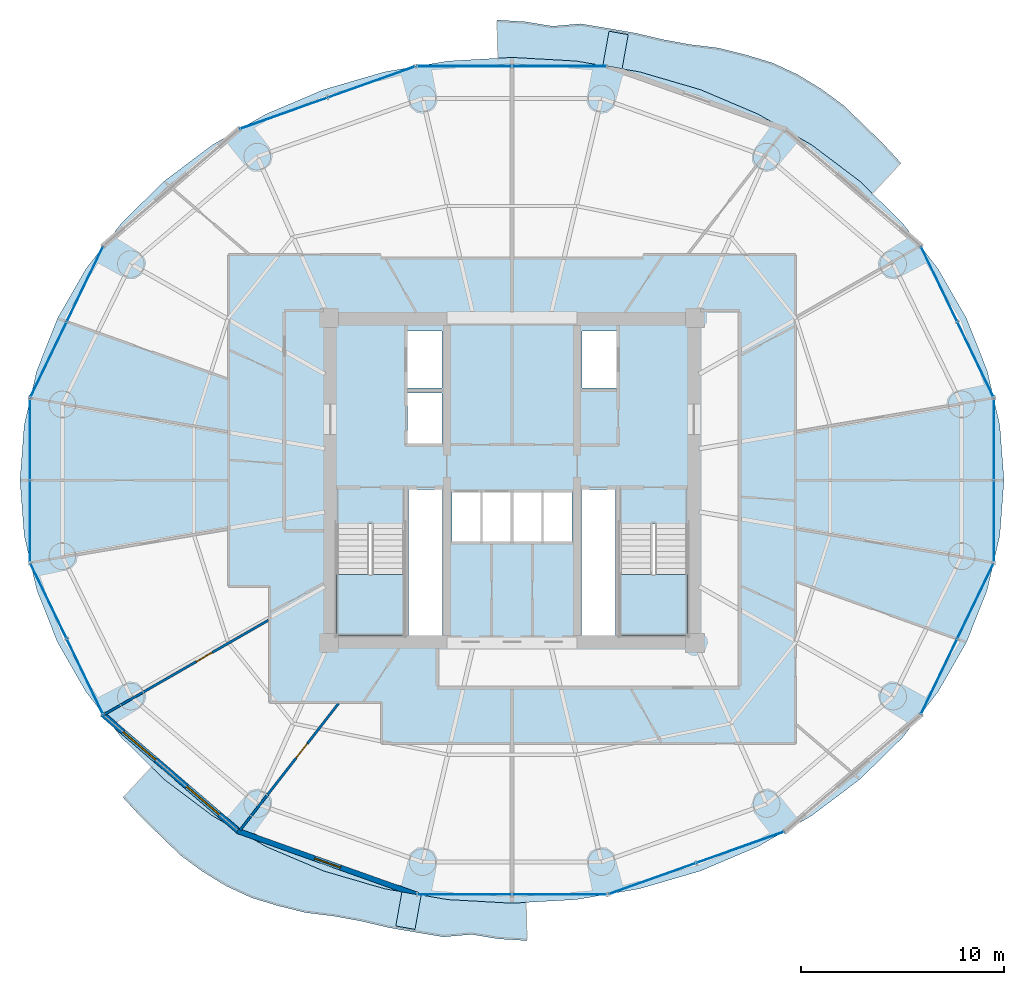
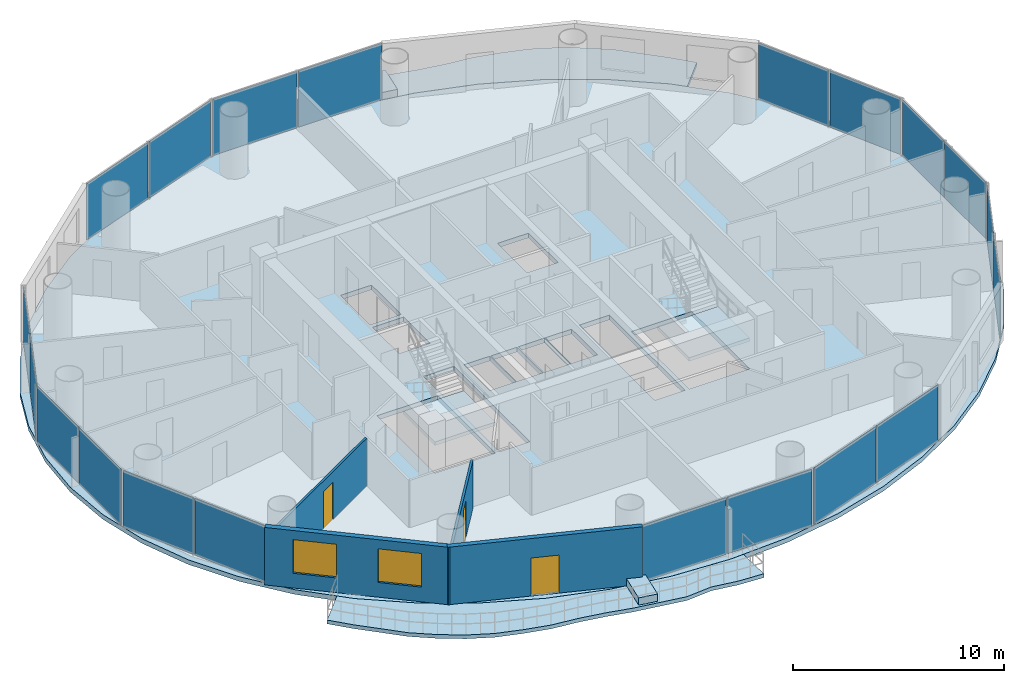
# One storey, part 19 of 26: 20 plates, 7 slabs, 4 walls, 3 doors, 2 windows, 5 openings, 12 elements without a shape of their own.
"""IFC4 building model written with IfcOpenShell, lengths in metres."""

from ifc_helpers import new_model, si_unit, direction, frame, frame_2d, origin, origin_2d, place, context, subcontext, project, spatial, polyline, rectangle, outline, extrude, source, transform, mapped, material, layer, layer_set, type_object, element, fill, aggregate, save


model = new_model("IFC4")

# Units and contexts
model_context = context("Model", 3, precision=1e-05, world=origin(), true_north=direction((-0.2419218956, 0.970295726276)))
body_context = subcontext(model_context, "Body", "Model", "MODEL_VIEW")
ifc_project = project(units=[si_unit("LENGTHUNIT", "METRE"), si_unit("AREAUNIT", "SQUARE_METRE"), si_unit("VOLUMEUNIT", "CUBIC_METRE"), si_unit("PLANEANGLEUNIT", "RADIAN"), si_unit("MASSUNIT", "GRAM", prefix="KILO")], contexts=[model_context])

# Site, building, storey
site_placement = place(None, origin())
site = spatial("IfcSite", under=ifc_project, at=site_placement, CompositionType="ELEMENT")
building_placement = place(site_placement, origin())
building = spatial("IfcBuilding", under=site, at=building_placement, Name="Cobrevalo Terracotta Tower", CompositionType="ELEMENT")
storey_placement = place(building_placement, frame((0.0, 0.0, 171.39990234375)))
storey = spatial("IfcBuildingStorey", under=building, at=storey_placement, Name="L45", CompositionType="ELEMENT", Elevation=171.39990234375)

# Stair, slab
ifc_material_1 = material(Name="Concrete C50", Category="concrete")
stair_type = type_object("IfcStairType", Name="Core protected escape dogleg stair 1600", PredefinedType="HALF_TURN_STAIR", material=ifc_material_1)
stair_1_placement = place(storey_placement, origin())
stair_1 = element("IfcStair", 1, at=stair_1_placement, inside=storey, type_object=stair_type, Name="L45 Protected exit stair ST-1", PredefinedType="HALF_TURN_STAIR")
ifc_layer_1 = layer(ifc_material_1, 0.199951171875)
ifc_layer_set_1 = layer_set([ifc_layer_1], Name="Concrete C50")
slab_type_1 = type_object("IfcSlabType", Name="Reinforced Concrete Stair Landing 200", PredefinedType="LANDING", material=ifc_layer_set_1)
slab_1_placement = place(storey_placement, frame((0.0, 0.0, 1.60009765625)))
slab_1 = element("IfcSlab", 2, at=slab_1_placement, type_object=slab_type_1, Name="ST-1 landing 1", PredefinedType="LANDING", context=body_context, shape_type="SweptSolid", body=[
    extrude(outline(polyline([(29.375, 22.179931640625), (29.375, 19.175048828125), (32.695068359375, 19.175048828125), (32.695068359375, 22.179931640625), (29.375, 22.179931640625)])), origin(), (0.0, 0.0, 1.0), 0.199951171875),
])
aggregate(stair_1, [slab_1])

stair_2_placement = place(storey_placement, origin())
stair_2 = element("IfcStair", 3, at=stair_2_placement, inside=storey, type_object=stair_type, Name="L45 Protected exit stair ST-2", PredefinedType="HALF_TURN_STAIR")
slab_2_placement = place(storey_placement, frame((0.0, 0.0, 1.60009765625)))
slab_2 = element("IfcSlab", 4, at=slab_2_placement, type_object=slab_type_1, Name="ST-2 landing 1", PredefinedType="LANDING", context=body_context, shape_type="SweptSolid", body=[
    extrude(outline(polyline([(43.304931640625, 22.179931640625), (43.304931640625, 19.175048828125), (46.625, 19.175048828125), (46.625, 22.179931640625), (43.304931640625, 22.179931640625)])), origin(), (0.0, 0.0, 1.0), 0.199951171875),
])
aggregate(stair_2, [slab_2])

# Slabs
ifc_material_2 = material(Name="Concrete C45", Category="concrete")
ifc_layer_2 = layer(ifc_material_2, 0.219970703125)
ifc_layer_set_2 = layer_set([ifc_layer_2], Name="Concrete C45")
slab_type_2 = type_object("IfcSlabType", Name="Spiralling cantilevered balcony lobe slab 220 mm", PredefinedType="FLOOR", material=ifc_layer_set_2)
slab_3_placement = place(storey_placement, frame((0.0, 0.0, -0.219970703125)))
element("IfcSlab", 5, at=slab_3_placement, inside=storey, type_object=slab_type_2, Name="L45 spiralling arc balcony slab lobe 1", PredefinedType="FLOOR", context=body_context, shape_type="SweptSolid", body=[
    extrude(outline(polyline([(57.1328125, 42.396484375), (56.243408203125, 43.363037109375), (55.283203125, 44.29443359375), (54.3115234375, 45.236083984375), (53.214599609375, 46.045166015625), (52.046875, 46.75927734375), (50.802490234375, 47.335693359375), (49.47265625, 47.73828125), (48.1328125, 48.067626953125), (46.745849609375, 48.239013671875), (45.39990234375, 48.48583984375), (44.074951171875, 48.799072265625), (42.7255859375, 49.031005859375), (41.3759765625, 49.2587890625), (39.990966796875, 49.137939453125), (38.631591796875, 49.359375), (37.26025390625, 49.44189453125), (37.306640625, 47.56298828125), (38.0, 47.60205078125), (41.158935546875, 47.424072265625), (44.263916015625, 46.893310546875), (47.26171875, 46.0185546875), (50.10107421875, 44.81494140625), (52.733154296875, 43.30322265625), (55.11328125, 41.50927734375), (55.738525390625, 40.896728515625), (57.1328125, 42.396484375)])), origin(), (0.0, 0.0, 1.0), 0.219970703125),
])
slab_4_placement = place(storey_placement, frame((0.0, 0.0, -0.219970703125)))
element("IfcSlab", 6, at=slab_4_placement, inside=storey, type_object=slab_type_2, Name="L45 spiralling arc balcony slab lobe 2", PredefinedType="FLOOR", context=body_context, shape_type="SweptSolid", body=[
    extrude(outline(polyline([(18.8671875, 11.203369140625), (19.756591796875, 10.23681640625), (20.716796875, 9.3056640625), (21.6884765625, 8.364013671875), (22.785400390625, 7.5546875), (23.953125, 6.8408203125), (25.197509765625, 6.264404296875), (26.52734375, 5.86181640625), (27.8671875, 5.5322265625), (29.254150390625, 5.361083984375), (30.60009765625, 5.1142578125), (31.925048828125, 4.801025390625), (33.2744140625, 4.569091796875), (34.6240234375, 4.34130859375), (36.009033203125, 4.462158203125), (37.368408203125, 4.240478515625), (38.73974609375, 4.157958984375), (38.693359375, 6.037109375), (38.0, 5.998046875), (34.841064453125, 6.176025390625), (31.736083984375, 6.706787109375), (28.73828125, 7.58154296875), (25.89892578125, 8.784912109375), (23.266845703125, 10.296630859375), (20.88671875, 12.0908203125), (20.261474609375, 12.703369140625), (18.8671875, 11.203369140625)])), origin(), (0.0, 0.0, 1.0), 0.219970703125),
])
ifc_material_3 = material(Name="Precast concrete C45", Category="concrete")
ifc_layer_3 = layer(ifc_material_3, 0.419921875)
ifc_layer_set_3 = layer_set([ifc_layer_3], Name="Precast concrete C45")
slab_type_3 = type_object("IfcSlabType", Name="Structural tree planter trough base 420 mm", PredefinedType="USERDEFINED", material=ifc_layer_set_3)
slab_5_placement = place(storey_placement, origin())
element("IfcSlab", 7, at=slab_5_placement, inside=storey, type_object=slab_type_3, Name="L45 structural tree planter trough 1", ObjectType="PLANTER", PredefinedType="USERDEFINED", context=body_context, shape_type="SweptSolid", body=[
    extrude(outline(polyline([(43.41552734375, 47.046142578125), (43.716064453125, 48.719482421875), (42.771240234375, 48.88916015625), (42.470703125, 47.2158203125), (43.41552734375, 47.046142578125)])), origin(), (0.0, 0.0, 1.0), 0.420166015625),
])
slab_6_placement = place(storey_placement, origin())
element("IfcSlab", 8, at=slab_6_placement, inside=storey, type_object=slab_type_3, Name="L45 structural tree planter trough 2", ObjectType="PLANTER", PredefinedType="USERDEFINED", context=body_context, shape_type="SweptSolid", body=[
    extrude(outline(polyline([(32.58447265625, 6.553955078125), (32.283935546875, 4.880615234375), (33.228759765625, 4.7109375), (33.529296875, 6.38427734375), (32.58447265625, 6.553955078125)])), origin(), (0.0, 0.0, 1.0), 0.420166015625),
])
ifc_layer_4 = layer(ifc_material_1, 0.27001953125)
ifc_layer_set_4 = layer_set([ifc_layer_4], Name="Concrete C50")
slab_type_4 = type_object("IfcSlabType", Name="Zone Z3 elliptical floor plate 270 mm", PredefinedType="FLOOR", material=ifc_layer_set_4)
slab_7_placement = place(storey_placement, frame((0.0, 0.0, -0.27001953125)))
element("IfcSlab", 9, at=slab_7_placement, inside=storey, type_object=slab_type_4, Name="L45 indoor elliptical floor slab", PredefinedType="FLOOR", context=body_context, shape_type="SweptSolid", body=[
    extrude(outline(polyline([(61.992919921875, 24.0849609375), (61.37548828125, 21.41650390625), (60.35791015625, 18.840087890625), (58.957763671875, 16.39990234375), (57.19921875, 14.1376953125), (55.112060546875, 12.09228515625), (52.73193359375, 10.29833984375), (50.10009765625, 8.78662109375), (47.260986328125, 7.583251953125), (44.263427734375, 6.708740234375), (41.15869140625, 6.177978515625), (38.0, 6.0), (34.84130859375, 6.177978515625), (31.736572265625, 6.708740234375), (28.739013671875, 7.583251953125), (25.89990234375, 8.78662109375), (23.26806640625, 10.29833984375), (20.887939453125, 12.09228515625), (18.80078125, 14.1376953125), (17.042236328125, 16.39990234375), (15.64208984375, 18.840087890625), (14.62451171875, 21.41650390625), (14.007080078125, 24.0849609375), (13.800048828125, 26.800048828125), (14.007080078125, 29.514892578125), (14.62451171875, 32.183349609375), (15.64208984375, 34.759765625), (17.042236328125, 37.199951171875), (18.80078125, 39.462158203125), (20.887939453125, 41.5078125), (23.26806640625, 43.3017578125), (25.89990234375, 44.813232421875), (28.739013671875, 46.0166015625), (31.736572265625, 46.891357421875), (34.84130859375, 47.422119140625), (38.0, 47.60009765625), (41.15869140625, 47.422119140625), (44.263427734375, 46.891357421875), (47.260986328125, 46.0166015625), (50.10009765625, 44.813232421875), (52.73193359375, 43.3017578125), (55.112060546875, 41.5078125), (57.19921875, 39.462158203125), (58.957763671875, 37.199951171875), (60.35791015625, 34.759765625), (61.37548828125, 32.183349609375), (61.992919921875, 29.514892578125), (62.199951171875, 26.800048828125), (61.992919921875, 24.0849609375)]), holes=[polyline([(32.695068359375, 19.175048828125), (32.695068359375, 24.659912109375), (29.375, 24.659912109375), (29.375, 19.175048828125), (32.695068359375, 19.175048828125)]), polyline([(34.574951171875, 26.360107421875), (32.919921875, 26.360107421875), (32.919921875, 19.175048828125), (34.574951171875, 19.175048828125), (34.574951171875, 26.360107421875)]), polyline([(36.47998046875, 26.25), (35.050048828125, 26.25), (35.050048828125, 23.800048828125), (36.47998046875, 23.800048828125), (36.47998046875, 26.25)]), polyline([(37.9599609375, 23.800048828125), (37.9599609375, 26.25), (36.530029296875, 26.25), (36.530029296875, 23.800048828125), (37.9599609375, 23.800048828125)]), polyline([(34.550048828125, 28.60009765625), (34.550048828125, 31.10009765625), (32.85009765625, 31.10009765625), (32.85009765625, 28.60009765625), (34.550048828125, 28.60009765625)]), polyline([(34.550048828125, 34.14990234375), (32.85009765625, 34.14990234375), (32.85009765625, 31.35009765625), (34.550048828125, 31.35009765625), (34.550048828125, 34.14990234375)]), polyline([(43.304931640625, 19.175048828125), (46.625, 19.175048828125), (46.625, 24.659912109375), (43.304931640625, 24.659912109375), (43.304931640625, 19.175048828125)]), polyline([(43.080078125, 19.175048828125), (43.080078125, 26.360107421875), (41.425048828125, 26.360107421875), (41.425048828125, 19.175048828125), (43.080078125, 19.175048828125)]), polyline([(39.469970703125, 26.25), (38.0400390625, 26.25), (38.0400390625, 23.800048828125), (39.469970703125, 23.800048828125), (39.469970703125, 26.25)]), polyline([(40.949951171875, 23.800048828125), (40.949951171875, 26.25), (39.52001953125, 26.25), (39.52001953125, 23.800048828125), (40.949951171875, 23.800048828125)]), polyline([(43.14990234375, 31.35009765625), (43.14990234375, 34.14990234375), (41.449951171875, 34.14990234375), (41.449951171875, 31.35009765625), (43.14990234375, 31.35009765625)])]), origin(), (0.0, 0.0, 1.0), 0.27001953125),
])

# Curtain wall, plates
ifc_material_4 = material(Name="Anodized aluminium", Category="aluminium")
curtain_wall_type = type_object("IfcCurtainWallType", Name="Mid-tower high-wind unitised curtain wall CW-U2", PredefinedType="NOTDEFINED", material=ifc_material_4)
curtain_wall_1_placement = place(storey_placement, origin())
curtain_wall_1 = element("IfcCurtainWall", 10, at=curtain_wall_1_placement, inside=storey, type_object=curtain_wall_type, Name="L45 curtain wall CW-L45-S04", PredefinedType="NOTDEFINED")
ifc_material_5 = material(Name="Solar-control low-E double glazing", Category="glass")
ifc_layer_5 = layer(ifc_material_5, 0.028076171875)
ifc_layer_set_5 = layer_set([ifc_layer_5], Name="Solar-control low-E double glazing")
plate_type = type_object("IfcPlateType", Name="Tower solar-control low-E vision glass panel 28 mm", PredefinedType="CURTAIN_PANEL", material=ifc_layer_set_5)
shared_shape_1 = source(origin(), body_context, "Body", "SweptSolid", [
    extrude(rectangle(XDim=4.59521484375, YDim=0.035888671875, at=origin_2d()), origin(), (0.0, 0.0, 1.0), 3.25),
])
plate_1_placement = place(storey_placement, frame((40.337646484375, 47.1708984375, 0.0400390625), z_axis=(0.0, 0.0, 1.0), x_axis=(-1.0, 0.0, 0.0)))
plate_1 = element("IfcPlate", 11, at=plate_1_placement, type_object=plate_type, Name="CW-L45-S04 glazing panel B01", PredefinedType="CURTAIN_PANEL", context=body_context, shape_type="MappedRepresentation", body=[
    mapped(shared_shape_1, transform((0.0, 0.0, 0.0), scale=1.0)),
])
plate_2_placement = place(storey_placement, frame((35.662353515625, 47.1708984375, 0.0400390625), z_axis=(0.0, 0.0, 1.0), x_axis=(-1.0, 0.0, 0.0)))
plate_2 = element("IfcPlate", 12, at=plate_2_placement, type_object=plate_type, Name="CW-L45-S04 glazing panel B02", PredefinedType="CURTAIN_PANEL", context=body_context, shape_type="MappedRepresentation", body=[
    mapped(shared_shape_1, transform((0.0, 0.0, 0.0), scale=1.0)),
])
aggregate(curtain_wall_1, [plate_1, plate_2])

curtain_wall_2_placement = place(storey_placement, origin())
curtain_wall_2 = element("IfcCurtainWall", 13, at=curtain_wall_2_placement, inside=storey, type_object=curtain_wall_type, Name="L45 curtain wall CW-L45-S12", PredefinedType="NOTDEFINED")
plate_3_placement = place(storey_placement, frame((35.662353515625, 6.42919921875, 0.0400390625), z_axis=(0.0, 0.0, 1.0), x_axis=(1.0, 0.0, 0.0)))
plate_3 = element("IfcPlate", 14, at=plate_3_placement, type_object=plate_type, Name="CW-L45-S12 glazing panel B01", PredefinedType="CURTAIN_PANEL", context=body_context, shape_type="MappedRepresentation", body=[
    mapped(shared_shape_1, transform((0.0, 0.0, 0.0), scale=1.0)),
])
plate_4_placement = place(storey_placement, frame((40.337646484375, 6.42919921875, 0.0400390625), z_axis=(0.0, 0.0, 1.0), x_axis=(1.0, 0.0, 0.0)))
plate_4 = element("IfcPlate", 15, at=plate_4_placement, type_object=plate_type, Name="CW-L45-S12 glazing panel B02", PredefinedType="CURTAIN_PANEL", context=body_context, shape_type="MappedRepresentation", body=[
    mapped(shared_shape_1, transform((0.0, 0.0, 0.0), scale=1.0)),
])
aggregate(curtain_wall_2, [plate_3, plate_4])

curtain_wall_3_placement = place(storey_placement, origin())
curtain_wall_3 = element("IfcCurtainWall", 16, at=curtain_wall_3_placement, inside=storey, type_object=curtain_wall_type, Name="L45 curtain wall CW-L45-S01", PredefinedType="NOTDEFINED")
shared_shape_2 = source(origin(), body_context, "Body", "SweptSolid", [
    extrude(rectangle(XDim=4.035888671875, YDim=0.035888671875, at=origin_2d()), origin(), (0.0, 0.0, 1.0), 3.25),
])
plate_5_placement = place(storey_placement, frame((60.794677734375, 32.741943359375, 0.0400390625), z_axis=(0.0, 0.0, 1.0), x_axis=(-0.434209440271, 0.900811945957, 0.0)))
plate_5 = element("IfcPlate", 17, at=plate_5_placement, type_object=plate_type, Name="CW-L45-S01 glazing panel B01", PredefinedType="CURTAIN_PANEL", context=body_context, shape_type="MappedRepresentation", body=[
    mapped(shared_shape_2, transform((0.0, 0.0, 0.0), scale=1.0)),
])
plate_6_placement = place(storey_placement, frame((59.007568359375, 36.449462890625, 0.0400390625), z_axis=(0.0, 0.0, 1.0), x_axis=(-0.434209440271, 0.900811945957, 0.0)))
plate_6 = element("IfcPlate", 18, at=plate_6_placement, type_object=plate_type, Name="CW-L45-S01 glazing panel B02", PredefinedType="CURTAIN_PANEL", context=body_context, shape_type="MappedRepresentation", body=[
    mapped(shared_shape_2, transform((0.0, 0.0, 0.0), scale=1.0)),
])
aggregate(curtain_wall_3, [plate_5, plate_6])

curtain_wall_4_placement = place(storey_placement, origin())
curtain_wall_4 = element("IfcCurtainWall", 19, at=curtain_wall_4_placement, inside=storey, type_object=curtain_wall_type, Name="L45 curtain wall CW-L45-S07", PredefinedType="NOTDEFINED")
plate_7_placement = place(storey_placement, frame((16.992431640625, 36.449462890625, 0.0400390625), z_axis=(0.0, 0.0, 1.0), x_axis=(-0.434209440271, -0.900811945957, 0.0)))
plate_7 = element("IfcPlate", 20, at=plate_7_placement, type_object=plate_type, Name="CW-L45-S07 glazing panel B01", PredefinedType="CURTAIN_PANEL", context=body_context, shape_type="MappedRepresentation", body=[
    mapped(shared_shape_2, transform((0.0, 0.0, 0.0), scale=1.0)),
])
plate_8_placement = place(storey_placement, frame((15.205322265625, 32.741943359375, 0.0400390625), z_axis=(0.0, 0.0, 1.0), x_axis=(-0.434209440271, -0.900811945957, 0.0)))
plate_8 = element("IfcPlate", 21, at=plate_8_placement, type_object=plate_type, Name="CW-L45-S07 glazing panel B02", PredefinedType="CURTAIN_PANEL", context=body_context, shape_type="MappedRepresentation", body=[
    mapped(shared_shape_2, transform((0.0, 0.0, 0.0), scale=1.0)),
])
aggregate(curtain_wall_4, [plate_7, plate_8])

curtain_wall_5_placement = place(storey_placement, origin())
curtain_wall_5 = element("IfcCurtainWall", 22, at=curtain_wall_5_placement, inside=storey, type_object=curtain_wall_type, Name="L45 curtain wall CW-L45-S09", PredefinedType="NOTDEFINED")
plate_9_placement = place(storey_placement, frame((15.205322265625, 20.858154296875, 0.0400390625), z_axis=(0.0, 0.0, 1.0), x_axis=(0.434209440271, -0.900811945957, 0.0)))
plate_9 = element("IfcPlate", 23, at=plate_9_placement, type_object=plate_type, Name="CW-L45-S09 glazing panel B01", PredefinedType="CURTAIN_PANEL", context=body_context, shape_type="MappedRepresentation", body=[
    mapped(shared_shape_2, transform((0.0, 0.0, 0.0), scale=1.0)),
])
plate_10_placement = place(storey_placement, frame((16.992431640625, 17.150634765625, 0.0400390625), z_axis=(0.0, 0.0, 1.0), x_axis=(0.434209440271, -0.900811945957, 0.0)))
plate_10 = element("IfcPlate", 24, at=plate_10_placement, type_object=plate_type, Name="CW-L45-S09 glazing panel B02", PredefinedType="CURTAIN_PANEL", context=body_context, shape_type="MappedRepresentation", body=[
    mapped(shared_shape_2, transform((0.0, 0.0, 0.0), scale=1.0)),
])
aggregate(curtain_wall_5, [plate_9, plate_10])

curtain_wall_6_placement = place(storey_placement, origin())
curtain_wall_6 = element("IfcCurtainWall", 25, at=curtain_wall_6_placement, inside=storey, type_object=curtain_wall_type, Name="L45 curtain wall CW-L45-S15", PredefinedType="NOTDEFINED")
plate_11_placement = place(storey_placement, frame((59.007568359375, 17.150634765625, 0.0400390625), z_axis=(0.0, 0.0, 1.0), x_axis=(0.434209440271, 0.900811945957, 0.0)))
plate_11 = element("IfcPlate", 26, at=plate_11_placement, type_object=plate_type, Name="CW-L45-S15 glazing panel B01", PredefinedType="CURTAIN_PANEL", context=body_context, shape_type="MappedRepresentation", body=[
    mapped(shared_shape_2, transform((0.0, 0.0, 0.0), scale=1.0)),
])
plate_12_placement = place(storey_placement, frame((60.794677734375, 20.858154296875, 0.0400390625), z_axis=(0.0, 0.0, 1.0), x_axis=(0.434209440271, 0.900811945957, 0.0)))
plate_12 = element("IfcPlate", 27, at=plate_12_placement, type_object=plate_type, Name="CW-L45-S15 glazing panel B02", PredefinedType="CURTAIN_PANEL", context=body_context, shape_type="MappedRepresentation", body=[
    mapped(shared_shape_2, transform((0.0, 0.0, 0.0), scale=1.0)),
])
aggregate(curtain_wall_6, [plate_11, plate_12])

curtain_wall_7_placement = place(storey_placement, origin())
curtain_wall_7 = element("IfcCurtainWall", 28, at=curtain_wall_7_placement, inside=storey, type_object=curtain_wall_type, Name="L45 curtain wall CW-L45-S08", PredefinedType="NOTDEFINED")
shared_shape_3 = source(origin(), body_context, "Body", "SweptSolid", [
    extrude(rectangle(XDim=3.931884765625, YDim=0.035888671875, at=origin_2d()), origin(), (0.0, 0.0, 1.0), 3.25),
])
plate_13_placement = place(storey_placement, frame((14.29443359375, 28.805908203125, 0.0400390625), z_axis=(0.0, 0.0, 1.0), x_axis=(0.0, -1.0, 0.0)))
plate_13 = element("IfcPlate", 29, at=plate_13_placement, type_object=plate_type, Name="CW-L45-S08 glazing panel B01", PredefinedType="CURTAIN_PANEL", context=body_context, shape_type="MappedRepresentation", body=[
    mapped(shared_shape_3, transform((0.0, 0.0, 0.0), scale=1.0)),
])
plate_14_placement = place(storey_placement, frame((14.29443359375, 24.7939453125, 0.0400390625), z_axis=(0.0, 0.0, 1.0), x_axis=(0.0, -1.0, 0.0)))
plate_14 = element("IfcPlate", 30, at=plate_14_placement, type_object=plate_type, Name="CW-L45-S08 glazing panel B02", PredefinedType="CURTAIN_PANEL", context=body_context, shape_type="MappedRepresentation", body=[
    mapped(shared_shape_3, transform((0.0, 0.0, 0.0), scale=1.0)),
])
aggregate(curtain_wall_7, [plate_13, plate_14])

curtain_wall_8_placement = place(storey_placement, origin())
curtain_wall_8 = element("IfcCurtainWall", 31, at=curtain_wall_8_placement, inside=storey, type_object=curtain_wall_type, Name="L45 curtain wall CW-L45-S16", PredefinedType="NOTDEFINED")
plate_15_placement = place(storey_placement, frame((61.70556640625, 24.7939453125, 0.0400390625), z_axis=(0.0, 0.0, 1.0), x_axis=(0.0, 1.0, 0.0)))
plate_15 = element("IfcPlate", 32, at=plate_15_placement, type_object=plate_type, Name="CW-L45-S16 glazing panel B01", PredefinedType="CURTAIN_PANEL", context=body_context, shape_type="MappedRepresentation", body=[
    mapped(shared_shape_3, transform((0.0, 0.0, 0.0), scale=1.0)),
])
plate_16_placement = place(storey_placement, frame((61.70556640625, 28.805908203125, 0.0400390625), z_axis=(0.0, 0.0, 1.0), x_axis=(0.0, 1.0, 0.0)))
plate_16 = element("IfcPlate", 33, at=plate_16_placement, type_object=plate_type, Name="CW-L45-S16 glazing panel B02", PredefinedType="CURTAIN_PANEL", context=body_context, shape_type="MappedRepresentation", body=[
    mapped(shared_shape_3, transform((0.0, 0.0, 0.0), scale=1.0)),
])
aggregate(curtain_wall_8, [plate_15, plate_16])

curtain_wall_9_placement = place(storey_placement, origin())
curtain_wall_9 = element("IfcCurtainWall", 34, at=curtain_wall_9_placement, inside=storey, type_object=curtain_wall_type, Name="L45 curtain wall CW-L45-S05", PredefinedType="NOTDEFINED")
shared_shape_4 = source(origin(), body_context, "Body", "SweptSolid", [
    extrude(rectangle(XDim=4.504150390625, YDim=0.035888671875, at=origin_2d()), origin(), (0.0, 0.0, 1.0), 3.25),
])
plate_17_placement = place(storey_placement, frame((31.087646484375, 46.388916015625, 0.0400390625), z_axis=(0.0, 0.0, 1.0), x_axis=(-0.942098428897, -0.335336473217, 0.0)))
plate_17 = element("IfcPlate", 35, at=plate_17_placement, type_object=plate_type, Name="CW-L45-S05 glazing panel B01", PredefinedType="CURTAIN_PANEL", context=body_context, shape_type="MappedRepresentation", body=[
    mapped(shared_shape_4, transform((0.0, 0.0, 0.0), scale=1.0)),
])
plate_18_placement = place(storey_placement, frame((26.768798828125, 44.8515625, 0.0400390625), z_axis=(0.0, 0.0, 1.0), x_axis=(-0.942098428897, -0.335336473217, 0.0)))
plate_18 = element("IfcPlate", 36, at=plate_18_placement, type_object=plate_type, Name="CW-L45-S05 glazing panel B02", PredefinedType="CURTAIN_PANEL", context=body_context, shape_type="MappedRepresentation", body=[
    mapped(shared_shape_4, transform((0.0, 0.0, 0.0), scale=1.0)),
])
aggregate(curtain_wall_9, [plate_17, plate_18])

curtain_wall_10_placement = place(storey_placement, origin())
curtain_wall_10 = element("IfcCurtainWall", 37, at=curtain_wall_10_placement, inside=storey, type_object=curtain_wall_type, Name="L45 curtain wall CW-L45-S13", PredefinedType="NOTDEFINED")
plate_19_placement = place(storey_placement, frame((44.912353515625, 7.211181640625, 0.0400390625), z_axis=(0.0, 0.0, 1.0), x_axis=(0.942098428897, 0.335336473217, 0.0)))
plate_19 = element("IfcPlate", 38, at=plate_19_placement, type_object=plate_type, Name="CW-L45-S13 glazing panel B01", PredefinedType="CURTAIN_PANEL", context=body_context, shape_type="MappedRepresentation", body=[
    mapped(shared_shape_4, transform((0.0, 0.0, 0.0), scale=1.0)),
])
plate_20_placement = place(storey_placement, frame((49.231201171875, 8.748291015625, 0.0400390625), z_axis=(0.0, 0.0, 1.0), x_axis=(0.942098428897, 0.335336473217, 0.0)))
plate_20 = element("IfcPlate", 39, at=plate_20_placement, type_object=plate_type, Name="CW-L45-S13 glazing panel B02", PredefinedType="CURTAIN_PANEL", context=body_context, shape_type="MappedRepresentation", body=[
    mapped(shared_shape_4, transform((0.0, 0.0, 0.0), scale=1.0)),
])
aggregate(curtain_wall_10, [plate_19, plate_20])

# Wall, openings, windows
ifc_material_6 = material(Name="Autoclaved aerated concrete block", Category="concrete")
ifc_layer_6 = layer(ifc_material_6, 0.280029296875)
ifc_layer_set_6 = layer_set([ifc_layer_6], Name="Autoclaved aerated concrete block")
wall_type_1 = type_object("IfcWallType", Name="Insulated tower spandrel & pier wall 280 mm with terracotta rainscreen", PredefinedType="SOLIDWALL", material=ifc_layer_set_6)
wall_1_placement = place(storey_placement, frame((17.8427734375, 15.31298828125, 0.0), z_axis=(0.0, 0.0, 1.0), x_axis=(0.75843401647, -0.651749831348, 0.0)))
wall_1 = element("IfcWall", 40, at=wall_1_placement, inside=storey, type_object=wall_type_1, Name="L45 terracotta rainscreen pier wall S10", PredefinedType="SOLIDWALL", context=body_context, shape_type="SweptSolid", body=[
    extrude(rectangle(XDim=8.952392578125, YDim=0.280029296875, at=frame_2d((4.47607421875, 0.0))), origin(), (0.0, 0.0, 1.0), 3.330078125),
])
opening_1_placement = place(wall_1_placement, frame((1.3671875, 0.0, 0.85009765625)))
opening_1 = element("IfcOpeningElement", 41, at=opening_1_placement, cuts=wall_1, Name="Opening WN-10", PredefinedType="OPENING", context=body_context, shape_type="SweptSolid", body=[
    extrude(rectangle(XDim=2.10009765625, YDim=1.949951171875, at=frame_2d((1.050048828125, 0.97509765625))), frame((0.0, 0.14990234375, 0.0), z_axis=(0.0, -1.0, 0.0), x_axis=(1.0, 0.0, 0.0)), (0.0, 0.0, 1.0), 0.300048828125),
])
opening_2_placement = place(wall_1_placement, frame((5.4853515625, 0.0, 0.85009765625)))
opening_2 = element("IfcOpeningElement", 42, at=opening_2_placement, cuts=wall_1, Name="Opening WN-10", PredefinedType="OPENING", context=body_context, shape_type="SweptSolid", body=[
    extrude(rectangle(XDim=2.10009765625, YDim=1.949951171875, at=frame_2d((1.050048828125, 0.97509765625))), frame((0.0, 0.14990234375, 0.0), z_axis=(0.0, -1.0, 0.0), x_axis=(1.0, 0.0, 0.0)), (0.0, 0.0, 1.0), 0.300048828125),
])
window_type = type_object("IfcWindowType", Name="Wide panoramic low-E aluminium window 2100x1950", PartitioningType="SINGLE_PANEL", PredefinedType="WINDOW", material=ifc_material_5)
shared_shape_5 = source(origin(), body_context, "Body", "SweptSolid", [
    extrude(rectangle(XDim=2.10009765625, YDim=1.949951171875, at=frame_2d((1.050048828125, 0.97509765625))), frame((0.0, 0.030029296875, 0.0), z_axis=(0.0, -1.0, 0.0), x_axis=(1.0, 0.0, 0.0)), (0.0, 0.0, 1.0), 0.06005859375),
])
window_1_placement = place(opening_1_placement, origin())
window_1 = element("IfcWindow", 43, at=window_1_placement, inside=storey, type_object=window_type, Name="L45 suite window S10A", OverallHeight=1.949951171875, OverallWidth=2.10009765625, PartitioningType="SINGLE_PANEL", PredefinedType="WINDOW", context=body_context, shape_type="MappedRepresentation", body=[
    mapped(shared_shape_5, transform((0.0, 0.0, 0.0), scale=1.0)),
])
fill(opening_1, window_1)
window_2_placement = place(opening_2_placement, origin())
window_2 = element("IfcWindow", 44, at=window_2_placement, inside=storey, type_object=window_type, Name="L45 suite window S10B", OverallHeight=1.949951171875, OverallWidth=2.10009765625, PartitioningType="SINGLE_PANEL", PredefinedType="WINDOW", context=body_context, shape_type="MappedRepresentation", body=[
    mapped(shared_shape_5, transform((0.0, 0.0, 0.0), scale=1.0)),
])
fill(opening_2, window_2)

# Wall, opening, door
ifc_layer_7 = layer(ifc_material_6, 0.260009765625)
ifc_layer_set_7 = layer_set([ifc_layer_7], Name="Autoclaved aerated concrete block")
wall_type_2 = type_object("IfcWallType", Name="Recessed balcony loggia insulated exterior wall 260 mm", PredefinedType="SOLIDWALL", material=ifc_layer_set_7)
wall_2_placement = place(storey_placement, frame((24.49658203125, 9.55712890625, 0.0), z_axis=(0.0, 0.0, 1.0), x_axis=(0.942103604331, -0.335321932934, 0.0)))
wall_2 = element("IfcWall", 45, at=wall_2_placement, inside=storey, type_object=wall_type_2, Name="L45 balcony loggia wall S11", PredefinedType="SOLIDWALL", context=body_context, shape_type="SweptSolid", body=[
    extrude(rectangle(XDim=9.408203125, YDim=0.260009765625, at=frame_2d((4.7041015625, 0.0))), origin(), (0.0, 0.0, 1.0), 3.330078125),
])
opening_3_placement = place(wall_2_placement, frame((4.029052734375, 0.0, 0.0)))
opening_3 = element("IfcOpeningElement", 46, at=opening_3_placement, cuts=wall_2, Name="Opening ED-05", PredefinedType="OPENING", context=body_context, shape_type="SweptSolid", body=[
    extrude(rectangle(XDim=1.35009765625, YDim=2.199951171875, at=frame_2d((0.675048828125, 1.10009765625))), frame((0.0, 0.14013671875, 0.0), z_axis=(0.0, -1.0, 0.0), x_axis=(1.0, 0.0, 0.0)), (0.0, 0.0, 1.0), 0.280029296875),
])
ifc_material_7 = material(Name="Anodized aluminium and laminated glass", Category="aluminium")
door_type_1 = type_object("IfcDoorType", Name="Suite balcony acoustic glazed terrace door 1350x2200", OperationType="NOTDEFINED", PredefinedType="DOOR", material=ifc_material_7)
shared_shape_6 = source(origin(), body_context, "Body", "SweptSolid", [
    extrude(rectangle(XDim=1.35009765625, YDim=2.199951171875, at=frame_2d((0.675048828125, 1.10009765625))), frame((0.0, 0.02490234375, 0.0), z_axis=(0.0, -1.0, 0.0), x_axis=(1.0, 0.0, 0.0)), (0.0, 0.0, 1.0), 0.050048828125),
])
door_1_placement = place(opening_3_placement, frame((1.35009765625, 0.0, 0.0), z_axis=(0.0, 0.0, 1.0), x_axis=(-1.0, 0.0, 0.0)))
door_1 = element("IfcDoor", 47, at=door_1_placement, inside=storey, type_object=door_type_1, Name="L45 glazed balcony terrace door 2", OperationType="SINGLE_SWING_RIGHT", OverallHeight=2.199951171875, OverallWidth=1.35009765625, PredefinedType="DOOR", context=body_context, shape_type="MappedRepresentation", body=[
    mapped(shared_shape_6, transform((0.0, 0.0, 0.0), scale=1.0)),
])
fill(opening_3, door_1)

ifc_material_8 = material(Name="Gypsum board on steel stud", Category="steel")
ifc_layer_8 = layer(ifc_material_8, 0.1201171875)
ifc_layer_set_8 = layer_set([ifc_layer_8], Name="Gypsum board on steel stud")
wall_type_3 = type_object("IfcWallType", Name="Residential internal acoustic stud partition 120 mm", PredefinedType="PARTITIONING", material=ifc_layer_set_8)
wall_3_placement = place(storey_placement, frame((26.021240234375, 19.920654296875, 0.0), z_axis=(0.0, 0.0, 1.0), x_axis=(-0.867161148693, -0.498027652041, 0.0)))
wall_3 = element("IfcWall", 48, at=wall_3_placement, inside=storey, type_object=wall_type_3, Name="L45 interior partition IW-L45-U1-ORAD4", PredefinedType="PARTITIONING", context=body_context, shape_type="SweptSolid", body=[
    extrude(rectangle(XDim=9.279296875, YDim=0.1201171875, at=frame_2d((4.6396484375, 0.0))), origin(), (0.0, 0.0, 1.0), 2.776123046875),
])
opening_4_placement = place(wall_3_placement, frame((3.19189453125, 0.0, 0.0)))
opening_4 = element("IfcOpeningElement", 49, at=opening_4_placement, cuts=wall_3, Name="Opening ID-12", PredefinedType="OPENING", context=body_context, shape_type="SweptSolid", body=[
    extrude(rectangle(XDim=0.89990234375, YDim=2.14990234375, at=frame_2d((0.449951171875, 1.074951171875))), frame((0.0, 0.070068359375, 0.0), z_axis=(0.0, -1.0, 0.0), x_axis=(1.0, 0.0, 0.0)), (0.0, 0.0, 1.0), 0.14013671875),
])
ifc_material_9 = material(Name="Engineered timber", Category="wood")
door_type_2 = type_object("IfcDoorType", Name="Internal residence & suite timber door 900x2150", OperationType="NOTDEFINED", PredefinedType="DOOR", material=ifc_material_9)
shared_shape_7 = source(origin(), body_context, "Body", "SweptSolid", [
    extrude(rectangle(XDim=0.89990234375, YDim=2.14990234375, at=frame_2d((0.449951171875, 1.074951171875))), frame((0.0, 0.02490234375, 0.0), z_axis=(0.0, -1.0, 0.0), x_axis=(1.0, 0.0, 0.0)), (0.0, 0.0, 1.0), 0.050048828125),
])
door_2_placement = place(opening_4_placement, origin())
door_2 = element("IfcDoor", 50, at=door_2_placement, inside=storey, type_object=door_type_2, Name="Flat L45A Penthouse Family Lounge internal door", OperationType="SINGLE_SWING_LEFT", OverallHeight=2.14990234375, OverallWidth=0.89990234375, PredefinedType="DOOR", context=body_context, shape_type="MappedRepresentation", body=[
    mapped(shared_shape_7, transform((0.0, 0.0, 0.0), scale=1.0)),
])
fill(opening_4, door_2)

wall_4_placement = place(storey_placement, frame((29.46875, 15.826171875, 0.0), z_axis=(0.0, 0.0, 1.0), x_axis=(-0.61373942367, -0.789508657225, 0.0)))
wall_4 = element("IfcWall", 51, at=wall_4_placement, inside=storey, type_object=wall_type_3, Name="L45 interior partition IW-L45-U1-ORAD5", PredefinedType="PARTITIONING", context=body_context, shape_type="SweptSolid", body=[
    extrude(rectangle(XDim=7.897705078125, YDim=0.1201171875, at=frame_2d((3.94873046875, 0.0))), origin(), (0.0, 0.0, 1.0), 2.776123046875),
])
opening_5_placement = place(wall_4_placement, frame((2.50048828125, 0.0, 0.0)))
opening_5 = element("IfcOpeningElement", 52, at=opening_5_placement, cuts=wall_4, Name="Opening ID-12", PredefinedType="OPENING", context=body_context, shape_type="SweptSolid", body=[
    extrude(rectangle(XDim=0.89990234375, YDim=2.14990234375, at=frame_2d((0.449951171875, 1.074951171875))), frame((0.0, 0.070068359375, 0.0), z_axis=(0.0, -1.0, 0.0), x_axis=(1.0, 0.0, 0.0)), (0.0, 0.0, 1.0), 0.14013671875),
])
door_3_placement = place(opening_5_placement, origin())
door_3 = element("IfcDoor", 53, at=door_3_placement, inside=storey, type_object=door_type_2, Name="Flat L45A Private Cinema Room internal door", OperationType="SINGLE_SWING_RIGHT", OverallHeight=2.14990234375, OverallWidth=0.89990234375, PredefinedType="DOOR", context=body_context, shape_type="MappedRepresentation", body=[
    mapped(shared_shape_7, transform((0.0, 0.0, 0.0), scale=1.0)),
])
fill(opening_5, door_3)

save(model, "model.ifc")
